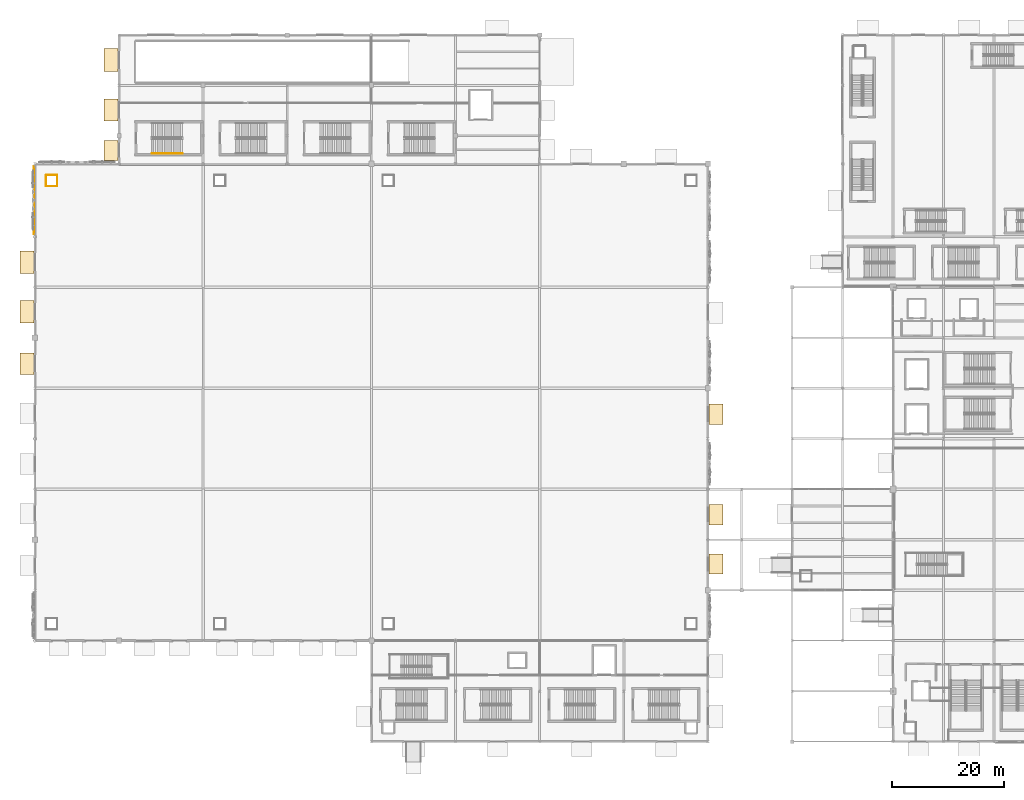
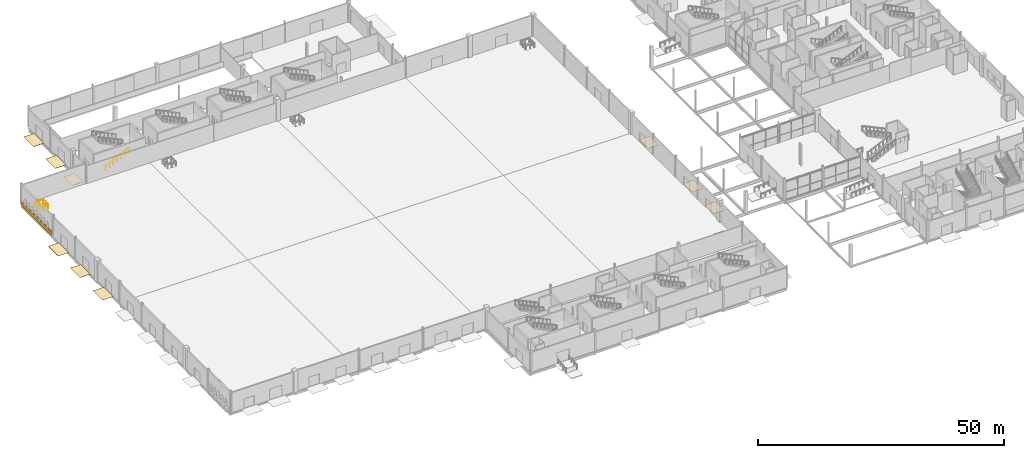
# One storey, part 77 of 94: 10 coverings, 5 railings.
"""IFC4 building model written with IfcOpenShell, lengths in metres."""

from ifc_helpers import new_model, si_unit, direction, frame, origin, origin_2d, place, context, subcontext, project, spatial, rectangle, circle, extrude, material, layer, layer_set, type_object, element, save


model = new_model("IFC4")

# Units and contexts
model_context = context("Model", 3, precision=1e-05, world=origin(), true_north=direction((0.0, 1.0)))
body_context = subcontext(model_context, "Body", "Model", "MODEL_VIEW")
ifc_project = project(units=[si_unit("LENGTHUNIT", "METRE"), si_unit("AREAUNIT", "SQUARE_METRE"), si_unit("VOLUMEUNIT", "CUBIC_METRE"), si_unit("PLANEANGLEUNIT", "RADIAN"), si_unit("MASSUNIT", "GRAM", prefix="KILO")], contexts=[model_context])

# Site, building, storey
site_placement = place(None, origin())
site = spatial("IfcSite", under=ifc_project, at=site_placement, CompositionType="ELEMENT")
building_placement = place(site_placement, origin())
building = spatial("IfcBuilding", under=site, at=building_placement, Name="Qamarlyn Nura Convention Centre", CompositionType="ELEMENT")
storey_placement = place(building_placement, origin())
storey = spatial("IfcBuildingStorey", under=building, at=storey_placement, Name="L00", CompositionType="ELEMENT", Elevation=0.0)

# Coverings
ifc_material_1 = material(Name="Polished coastal aggregate terrazzo")
ifc_layer_1 = layer(ifc_material_1, 0.030029296875, Name="COV-FLOOR-TERR")
ifc_layer_set_1 = layer_set([ifc_layer_1], Name="Polished coastal aggregate terrazzo")
covering_type_1 = type_object("IfcCoveringType", Name="COV-FLOOR-TERR", PredefinedType="FLOORING", material=ifc_layer_set_1)
covering_1_placement = place(storey_placement, frame((-1.39990234375, 67.368896484375, -0.02978515625), z_axis=(0.0, 0.0, 1.0), x_axis=(0.0, 1.0, 0.0)))
element("IfcCovering", 1, at=covering_1_placement, inside=storey, type_object=covering_type_1, Name="Exterior exit threshold apron E-05", PredefinedType="FLOORING", context=body_context, shape_type="SweptSolid", body=[
    extrude(rectangle(XDim=3.85009765625, YDim=2.5, at=origin_2d()), origin(), (0.0, 0.0, 1.0), 0.030029296875),
])
covering_2_placement = place(storey_placement, frame((-1.39990234375, 76.635986328125, -0.02978515625), z_axis=(0.0, 0.0, 1.0), x_axis=(0.0, 1.0, 0.0)))
element("IfcCovering", 2, at=covering_2_placement, inside=storey, type_object=covering_type_1, Name="Exterior exit threshold apron E-06", PredefinedType="FLOORING", context=body_context, shape_type="SweptSolid", body=[
    extrude(rectangle(XDim=3.949951171875, YDim=2.5, at=origin_2d()), origin(), (0.0, 0.0, 1.0), 0.030029296875),
])
covering_3_placement = place(storey_placement, frame((-1.39990234375, 85.474609375, -0.02978515625), z_axis=(0.0, 0.0, 1.0), x_axis=(0.0, 1.0, 0.0)))
element("IfcCovering", 3, at=covering_3_placement, inside=storey, type_object=covering_type_1, Name="Exterior exit threshold apron E-07", PredefinedType="FLOORING", context=body_context, shape_type="SweptSolid", body=[
    extrude(rectangle(XDim=4.050048828125, YDim=2.5, at=origin_2d()), origin(), (0.0, 0.0, 1.0), 0.030029296875),
])
covering_4_placement = place(storey_placement, frame((121.389892578125, 31.635986328125, -0.02978515625), z_axis=(0.0, 0.0, 1.0), x_axis=(0.0, -1.0, 0.0)))
element("IfcCovering", 4, at=covering_4_placement, inside=storey, type_object=covering_type_1, Name="Exterior exit threshold apron E-25", PredefinedType="FLOORING", context=body_context, shape_type="SweptSolid", body=[
    extrude(rectangle(XDim=3.550048828125, YDim=2.5, at=origin_2d()), origin(), (0.0, 0.0, 1.0), 0.030029296875),
])
covering_5_placement = place(storey_placement, frame((121.389892578125, 40.474609375, -0.02978515625), z_axis=(0.0, 0.0, 1.0), x_axis=(0.0, -1.0, 0.0)))
element("IfcCovering", 5, at=covering_5_placement, inside=storey, type_object=covering_type_1, Name="Exterior exit threshold apron E-26", PredefinedType="FLOORING", context=body_context, shape_type="SweptSolid", body=[
    extrude(rectangle(XDim=3.6201171875, YDim=2.5, at=origin_2d()), origin(), (0.0, 0.0, 1.0), 0.030029296875),
])
covering_6_placement = place(storey_placement, frame((121.39990234375, 58.368896484375, -0.02978515625), z_axis=(0.0, 0.0, 1.0), x_axis=(0.0, -1.0, 0.0)))
element("IfcCovering", 6, at=covering_6_placement, inside=storey, type_object=covering_type_1, Name="Exterior exit threshold apron E-27", PredefinedType="FLOORING", context=body_context, shape_type="SweptSolid", body=[
    extrude(rectangle(XDim=3.699951171875, YDim=2.5, at=origin_2d()), origin(), (0.0, 0.0, 1.0), 0.030029296875),
])
covering_7_placement = place(storey_placement, frame((13.610107421875, 105.4140625, -0.02978515625), z_axis=(0.0, 0.0, 1.0), x_axis=(0.0, 1.0, 0.0)))
element("IfcCovering", 7, at=covering_7_placement, inside=storey, type_object=covering_type_1, Name="Exterior exit threshold apron E-29", PredefinedType="FLOORING", context=body_context, shape_type="SweptSolid", body=[
    extrude(rectangle(XDim=3.550048828125, YDim=2.5, at=origin_2d()), origin(), (0.0, 0.0, 1.0), 0.030029296875),
])
covering_8_placement = place(storey_placement, frame((13.610107421875, 112.594482421875, -0.02978515625), z_axis=(0.0, 0.0, 1.0), x_axis=(0.0, 1.0, 0.0)))
element("IfcCovering", 8, at=covering_8_placement, inside=storey, type_object=covering_type_1, Name="Exterior exit threshold apron E-30", PredefinedType="FLOORING", context=body_context, shape_type="SweptSolid", body=[
    extrude(rectangle(XDim=3.949951171875, YDim=2.5, at=origin_2d()), origin(), (0.0, 0.0, 1.0), 0.030029296875),
])
covering_9_placement = place(storey_placement, frame((13.610107421875, 121.51611328125, -0.02978515625), z_axis=(0.0, 0.0, 1.0), x_axis=(0.0, 1.0, 0.0)))
element("IfcCovering", 9, at=covering_9_placement, inside=storey, type_object=covering_type_1, Name="Exterior exit threshold apron E-31", PredefinedType="FLOORING", context=body_context, shape_type="SweptSolid", body=[
    extrude(rectangle(XDim=4.050048828125, YDim=2.5, at=origin_2d()), origin(), (0.0, 0.0, 1.0), 0.030029296875),
])
ifc_material_2 = material(Name="UAE coastal limestone stone cladding", Category="masonry")
ifc_layer_2 = layer(ifc_material_2, 0.044921875, Name="COV-PLINTH-LIME")
ifc_layer_set_2 = layer_set([ifc_layer_2], Name="UAE coastal limestone stone cladding")
covering_type_2 = type_object("IfcCoveringType", Name="COV-PLINTH-LIME", PredefinedType="CLADDING", material=ifc_layer_set_2)
covering_10_placement = place(storey_placement, frame((-0.16845703125, 96.520751953125, 0.0), z_axis=(0.0, 0.0, 1.0), x_axis=(0.0, 1.0, 0.0)))
element("IfcCovering", 10, at=covering_10_placement, inside=storey, type_object=covering_type_2, Name="L00 UAE coastal limestone stone plinth cladding WEXT-L00-0-903-0-1028", PredefinedType="CLADDING", context=body_context, shape_type="SweptSolid", body=[
    extrude(rectangle(XDim=12.133544921875, YDim=0.044921875, at=origin_2d()), origin(), (0.0, 0.0, 1.0), 1.10009765625),
])

# Railings
ifc_material_3 = material(Name="Marine Grade 316 stainless steel", Category="steel")
railing_type_1 = type_object("IfcRailingType", Name="GRD-VOID-112", PredefinedType="BALUSTRADE", material=ifc_material_3)
railing_1_placement = place(storey_placement, frame((2.0, 101.0, 0.0)))
element("IfcRailing", 11, at=railing_1_placement, inside=storey, type_object=railing_type_1, Name="L00 slab edge balustrade guard 013", PredefinedType="BALUSTRADE", context=body_context, shape_type="SweptSolid", body=[
    extrude(circle(Radius=0.02392578125, at=origin_2d()), frame((0.0, 0.0, 1.09619140625), z_axis=(0.0, -1.0, 0.0), x_axis=(1.0, 0.0, 0.0)), (0.0, 0.0, 1.0), 2.0),
    extrude(circle(Radius=0.02099609375, at=origin_2d()), origin(), (0.0, 0.0, 1.0), 1.070068359375),
    extrude(circle(Radius=0.02099609375, at=origin_2d()), frame((0.0, -1.0, 0.0)), (0.0, 0.0, 1.0), 1.070068359375),
    extrude(circle(Radius=0.02099609375, at=origin_2d()), frame((0.0, -2.0, 0.0)), (0.0, 0.0, 1.0), 1.070068359375),
])
railing_2_placement = place(storey_placement, frame((2.0, 99.0, 0.0)))
element("IfcRailing", 12, at=railing_2_placement, inside=storey, type_object=railing_type_1, Name="L00 slab edge balustrade guard 014", PredefinedType="BALUSTRADE", context=body_context, shape_type="SweptSolid", body=[
    extrude(circle(Radius=0.02392578125, at=origin_2d()), frame((0.0, 0.0, 1.09619140625), z_axis=(1.0, 0.0, 0.0), x_axis=(0.0, 1.0, 0.0)), (0.0, 0.0, 1.0), 2.0),
    extrude(circle(Radius=0.02099609375, at=origin_2d()), origin(), (0.0, 0.0, 1.0), 1.070068359375),
    extrude(circle(Radius=0.02099609375, at=origin_2d()), frame((1.0, 0.0, 0.0)), (0.0, 0.0, 1.0), 1.070068359375),
    extrude(circle(Radius=0.02099609375, at=origin_2d()), frame((2.0, 0.0, 0.0)), (0.0, 0.0, 1.0), 1.070068359375),
])
railing_3_placement = place(storey_placement, frame((4.0, 99.0, 0.0)))
element("IfcRailing", 13, at=railing_3_placement, inside=storey, type_object=railing_type_1, Name="L00 slab edge balustrade guard 015", PredefinedType="BALUSTRADE", context=body_context, shape_type="SweptSolid", body=[
    extrude(circle(Radius=0.02392578125, at=origin_2d()), frame((0.0, 0.0, 1.09619140625), z_axis=(0.0, 1.0, 0.0), x_axis=(-1.0, 0.0, 0.0)), (0.0, 0.0, 1.0), 2.0),
    extrude(circle(Radius=0.02099609375, at=origin_2d()), origin(), (0.0, 0.0, 1.0), 1.070068359375),
    extrude(circle(Radius=0.02099609375, at=origin_2d()), frame((0.0, 1.0, 0.0)), (0.0, 0.0, 1.0), 1.070068359375),
    extrude(circle(Radius=0.02099609375, at=origin_2d()), frame((0.0, 2.0, 0.0)), (0.0, 0.0, 1.0), 1.070068359375),
])
railing_4_placement = place(storey_placement, frame((4.0, 101.0, 0.0)))
element("IfcRailing", 14, at=railing_4_placement, inside=storey, type_object=railing_type_1, Name="L00 slab edge balustrade guard 016", PredefinedType="BALUSTRADE", context=body_context, shape_type="SweptSolid", body=[
    extrude(circle(Radius=0.02392578125, at=origin_2d()), frame((0.0, 0.0, 1.09619140625), z_axis=(-1.0, 0.0, 0.0), x_axis=(0.0, -1.0, 0.0)), (0.0, 0.0, 1.0), 2.0),
    extrude(circle(Radius=0.02099609375, at=origin_2d()), origin(), (0.0, 0.0, 1.0), 1.070068359375),
    extrude(circle(Radius=0.02099609375, at=origin_2d()), frame((-1.0, 0.0, 0.0)), (0.0, 0.0, 1.0), 1.070068359375),
    extrude(circle(Radius=0.02099609375, at=origin_2d()), frame((-2.0, 0.0, 0.0)), (0.0, 0.0, 1.0), 1.070068359375),
])
railing_type_2 = type_object("IfcRailingType", Name="HRL-STAIR-090", PredefinedType="HANDRAIL", material=ifc_material_3)
railing_5_placement = place(storey_placement, frame((20.860107421875, 104.85009765625, 0.30224609375)))
element("IfcRailing", 15, at=railing_5_placement, inside=storey, type_object=railing_type_2, Name="L00 ST-01 stair handrail 1", PredefinedType="HANDRAIL", context=body_context, shape_type="SweptSolid", body=[
    extrude(circle(Radius=0.02392578125, at=origin_2d()), frame((0.0, 0.0, 0.88818359375), z_axis=(0.90545405566, 0.0, 0.424444287379), x_axis=(0.0, 1.0, 0.0)), (0.0, 0.0, 1.0), 6.008056640625),
    extrude(circle(Radius=0.02099609375, at=origin_2d()), frame((0.0, 0.0, -0.155029296875)), (0.0, 0.0, 1.0), 1.01708984375),
    extrude(circle(Radius=0.02099609375, at=origin_2d()), frame((0.90673828125, 0.0, 0.27001953125)), (0.0, 0.0, 1.0), 1.01708984375),
    extrude(circle(Radius=0.02099609375, at=origin_2d()), frame((1.813232421875, 0.0, 0.695068359375)), (0.0, 0.0, 1.0), 1.01708984375),
    extrude(circle(Radius=0.02099609375, at=origin_2d()), frame((2.719970703125, 0.0, 1.1201171875)), (0.0, 0.0, 1.0), 1.01708984375),
    extrude(circle(Radius=0.02099609375, at=origin_2d()), frame((3.626708984375, 0.0, 1.544921875)), (0.0, 0.0, 1.0), 1.01708984375),
    extrude(circle(Radius=0.02099609375, at=origin_2d()), frame((4.533203125, 0.0, 1.969970703125)), (0.0, 0.0, 1.0), 1.01708984375),
    extrude(circle(Radius=0.02099609375, at=origin_2d()), frame((5.43994140625, 0.0, 2.39501953125)), (0.0, 0.0, 1.0), 1.01708984375),
])

save(model, "model.ifc")
